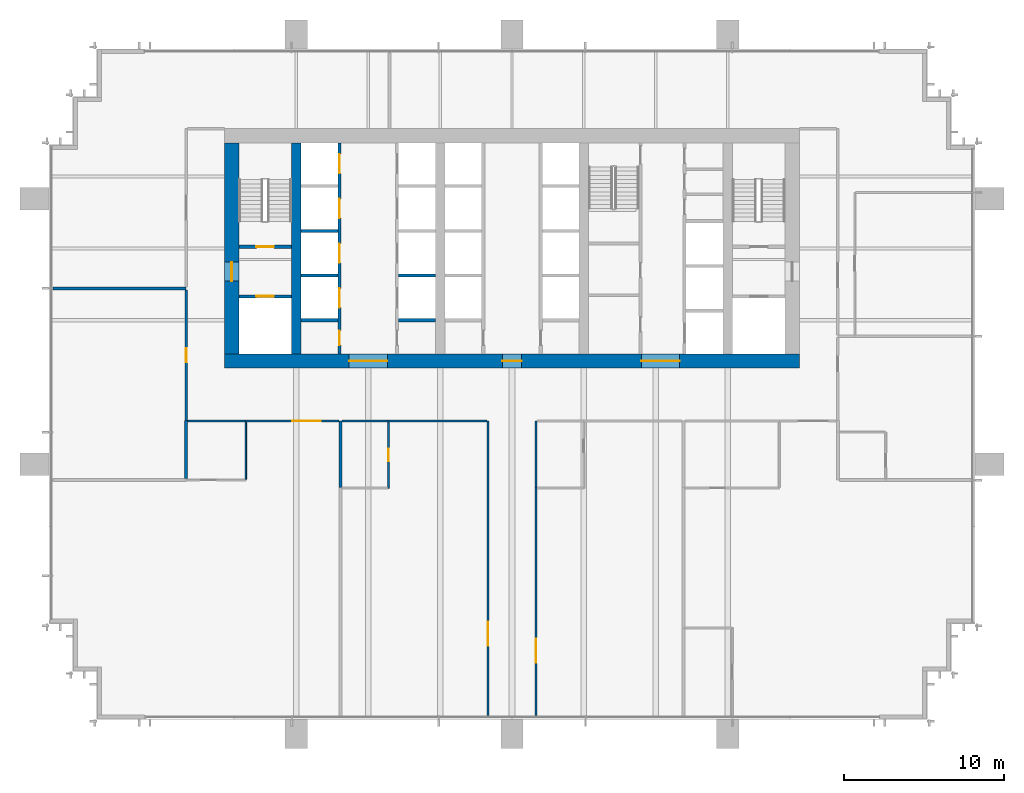
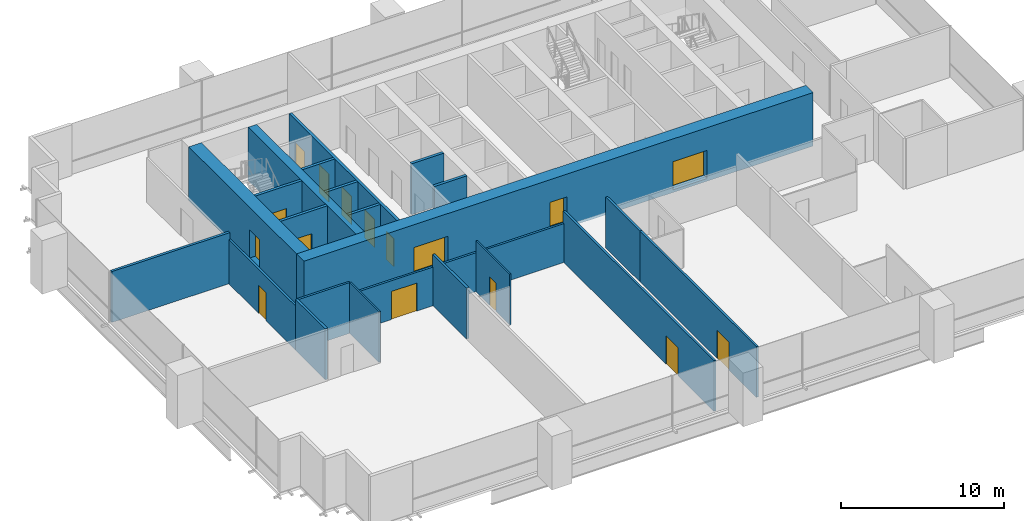
# One storey, part 10 of 14: 24 walls, 16 doors, 16 openings.
"""IFC4 building model written with IfcOpenShell, lengths in metres."""

from ifc_helpers import new_model, si_unit, direction, frame, frame_2d, origin, place, context, subcontext, project, spatial, rectangle, extrude, material, layer, layer_set, type_object, element, fill, save


model = new_model("IFC4")

# Units and contexts
model_context = context("Model", 3, precision=1e-05, world=origin(), true_north=direction((0.0, 1.0)))
body_context = subcontext(model_context, "Body", "Model", "MODEL_VIEW")
ifc_project = project(units=[si_unit("LENGTHUNIT", "METRE"), si_unit("AREAUNIT", "SQUARE_METRE"), si_unit("VOLUMEUNIT", "CUBIC_METRE"), si_unit("PLANEANGLEUNIT", "RADIAN"), si_unit("MASSUNIT", "GRAM", prefix="KILO")], contexts=[model_context])

# Site, building, storey
site_placement = place(None, origin())
site = spatial("IfcSite", under=ifc_project, at=site_placement, CompositionType="ELEMENT")
building_placement = place(site_placement, origin())
building = spatial("IfcBuilding", under=site, at=building_placement, Name="Rattan Terrace Tower", CompositionType="ELEMENT")
storey_placement = place(building_placement, frame((0.0, 0.0, 154.10009765625)))
storey = spatial("IfcBuildingStorey", under=building, at=storey_placement, Name="L35", CompositionType="ELEMENT", Elevation=154.10009765625)

# Wall, opening, door
ifc_material_1 = material(Name="Gypsum board partition")
ifc_layer_1 = layer(ifc_material_1, 0.199951171875)
ifc_layer_set_1 = layer_set([ifc_layer_1], Name="Core partition 200")
wall_type_1 = type_object("IfcWallType", Name="Core partition 200", PredefinedType="PARTITIONING", material=ifc_layer_set_1)
wall_1_placement = place(storey_placement, frame((-17.10009765625, -3.0, 0.0), z_axis=(0.0, 0.0, 1.0), x_axis=(1.0, 0.0, 0.0)))
wall_1 = element("IfcWall", 1, at=wall_1_placement, inside=storey, type_object=wall_type_1, Name="Fire-fighting lobby wall", PredefinedType="PARTITIONING", context=body_context, shape_type="SweptSolid", body=[
    extrude(rectangle(XDim=3.300048828125, YDim=0.199951171875, at=frame_2d((1.64990234375, 0.0))), origin(), (0.0, 0.0, 1.0), 3.7998046875),
])
opening_1_placement = place(wall_1_placement, frame((1.10009765625, 0.0, 0.0)))
opening_1 = element("IfcOpeningElement", 2, at=opening_1_placement, cuts=wall_1, Name="Opening L35-LD-FF1", PredefinedType="OPENING", context=body_context, shape_type="SweptSolid", body=[
    extrude(rectangle(XDim=1.10009765625, YDim=2.10009765625, at=frame_2d((0.550048828125, 1.050048828125))), frame((0.0, 0.110595703125, 0.0), z_axis=(0.0, -1.0, 0.0), x_axis=(1.0, 0.0, 0.0)), (0.0, 0.0, 1.0), 0.220947265625),
])
ifc_material_2 = material(Name="Brushed stainless landing door panel")
door_type_1 = type_object("IfcDoorType", Name="Core lift landing door 1100", OperationType="DOUBLE_DOOR_SLIDING", PredefinedType="DOOR", material=ifc_material_2)
door_1_placement = place(opening_1_placement, origin())
door_1 = element("IfcDoor", 3, at=door_1_placement, inside=storey, type_object=door_type_1, Name="Door L35-LD-FF1", OperationType="DOUBLE_DOOR_SLIDING", OverallHeight=2.10009765625, OverallWidth=1.10009765625, PredefinedType="DOOR", context=body_context, shape_type="SweptSolid", body=[
    extrude(rectangle(XDim=1.10009765625, YDim=2.10009765625, at=frame_2d((0.550048828125, 1.050048828125))), frame((0.0, 0.02490234375, 0.0), z_axis=(0.0, -1.0, 0.0), x_axis=(1.0, 0.0, 0.0)), (0.0, 0.0, 1.0), 0.050048828125),
])
fill(opening_1, door_1)

wall_2_placement = place(storey_placement, frame((-17.10009765625, 0.10009765625, 0.0), z_axis=(0.0, 0.0, 1.0), x_axis=(1.0, 0.0, 0.0)))
wall_2 = element("IfcWall", 4, at=wall_2_placement, inside=storey, type_object=wall_type_1, Name="Stair enclosure wall", PredefinedType="PARTITIONING", context=body_context, shape_type="SweptSolid", body=[
    extrude(rectangle(XDim=3.300048828125, YDim=0.199951171875, at=frame_2d((1.64990234375, 0.0))), origin(), (0.0, 0.0, 1.0), 3.7998046875),
])
opening_2_placement = place(wall_2_placement, frame((1.10009765625, 0.0, 0.0)))
opening_2 = element("IfcOpeningElement", 5, at=opening_2_placement, cuts=wall_2, Name="Opening L35-D002", PredefinedType="OPENING", context=body_context, shape_type="SweptSolid", body=[
    extrude(rectangle(XDim=1.10009765625, YDim=2.10009765625, at=frame_2d((0.550048828125, 1.050048828125))), frame((0.0, 0.110595703125, 0.0), z_axis=(0.0, -1.0, 0.0), x_axis=(1.0, 0.0, 0.0)), (0.0, 0.0, 1.0), 0.220947265625),
])
ifc_material_3 = material(Name="Hollow-metal fire door leaf")
door_type_2 = type_object("IfcDoorType", Name="Core stair door 1100", OperationType="NOTDEFINED", PredefinedType="DOOR", material=ifc_material_3)
door_2_placement = place(opening_2_placement, origin())
door_2 = element("IfcDoor", 6, at=door_2_placement, inside=storey, type_object=door_type_2, Name="Door L35-D002", OperationType="SINGLE_SWING_LEFT", OverallHeight=2.10009765625, OverallWidth=1.10009765625, PredefinedType="DOOR", context=body_context, shape_type="SweptSolid", body=[
    extrude(rectangle(XDim=1.10009765625, YDim=2.10009765625, at=frame_2d((0.550048828125, 1.050048828125))), frame((0.0, 0.02490234375, 0.0), z_axis=(0.0, -1.0, 0.0), x_axis=(1.0, 0.0, 0.0)), (0.0, 0.0, 1.0), 0.050048828125),
])
fill(opening_2, door_2)

# Wall, openings, doors
ifc_material_4 = material(Name="Concrete C60/75", Category="concrete")
ifc_layer_2 = layer(ifc_material_4, 0.89990234375)
ifc_layer_set_2 = layer_set([ifc_layer_2], Name="Core ring wall 900 C60/75")
wall_type_2 = type_object("IfcWallType", Name="Core ring wall 900 C60/75", PredefinedType="SHEAR", material=ifc_layer_set_2)
wall_3_placement = place(storey_placement, frame((-18.0, -7.050048828125, -0.2001953125), z_axis=(0.0, 0.0, 1.0), x_axis=(1.0, 0.0, 0.0)))
wall_3 = element("IfcWall", 7, at=wall_3_placement, inside=storey, type_object=wall_type_2, Name="Rear core wall south", PredefinedType="SHEAR", context=body_context, shape_type="SweptSolid", body=[
    extrude(rectangle(XDim=36.0, YDim=0.89990234375, at=frame_2d((18.0, 0.0))), origin(), (0.0, 0.0, 1.0), 4.0),
])
opening_3_placement = place(wall_3_placement, frame((7.800048828125, 0.0, 0.199951171875)))
opening_3 = element("IfcOpeningElement", 8, at=opening_3_placement, cuts=wall_3, Name="Opening L35-D007", PredefinedType="OPENING", context=body_context, shape_type="SweptSolid", body=[
    extrude(rectangle(XDim=2.39990234375, YDim=2.10009765625, at=frame_2d((1.199951171875, 1.050048828125))), frame((0.0, 0.46044921875, 0.0), z_axis=(0.0, -1.0, 0.0), x_axis=(1.0, 0.0, 0.0)), (0.0, 0.0, 1.0), 0.9208984375),
])
opening_4_placement = place(wall_3_placement, frame((17.39990234375, 0.0, 0.199951171875)))
opening_4 = element("IfcOpeningElement", 9, at=opening_4_placement, cuts=wall_3, Name="Opening L35-D010", PredefinedType="OPENING", context=body_context, shape_type="SweptSolid", body=[
    extrude(rectangle(XDim=1.199951171875, YDim=2.10009765625, at=frame_2d((0.60009765625, 1.050048828125))), frame((0.0, 0.46044921875, 0.0), z_axis=(0.0, -1.0, 0.0), x_axis=(1.0, 0.0, 0.0)), (0.0, 0.0, 1.0), 0.9208984375),
])
opening_5_placement = place(wall_3_placement, frame((26.10009765625, 0.0, 0.199951171875)))
opening_5 = element("IfcOpeningElement", 10, at=opening_5_placement, cuts=wall_3, Name="Opening L35-D014", PredefinedType="OPENING", context=body_context, shape_type="SweptSolid", body=[
    extrude(rectangle(XDim=2.39990234375, YDim=2.10009765625, at=frame_2d((1.199951171875, 1.050048828125))), frame((0.0, 0.46044921875, 0.0), z_axis=(0.0, -1.0, 0.0), x_axis=(1.0, 0.0, 0.0)), (0.0, 0.0, 1.0), 0.9208984375),
])
ifc_material_5 = material(Name="Hollow-metal fire door leaf")
door_type_3 = type_object("IfcDoorType", Name="Core lift lobby door 2400", OperationType="NOTDEFINED", PredefinedType="DOOR", material=ifc_material_5)
door_3_placement = place(opening_3_placement, origin())
door_3 = element("IfcDoor", 11, at=door_3_placement, inside=storey, type_object=door_type_3, Name="Door L35-D007", OperationType="DOUBLE_DOOR_DOUBLE_SWING", OverallHeight=2.10009765625, OverallWidth=2.39990234375, PredefinedType="DOOR", context=body_context, shape_type="SweptSolid", body=[
    extrude(rectangle(XDim=2.39990234375, YDim=2.10009765625, at=frame_2d((1.199951171875, 1.050048828125))), frame((0.0, 0.02490234375, 0.0), z_axis=(0.0, -1.0, 0.0), x_axis=(1.0, 0.0, 0.0)), (0.0, 0.0, 1.0), 0.050048828125),
])
fill(opening_3, door_3)
door_4_placement = place(opening_5_placement, origin())
door_4 = element("IfcDoor", 12, at=door_4_placement, inside=storey, type_object=door_type_3, Name="Door L35-D014", OperationType="DOUBLE_DOOR_DOUBLE_SWING", OverallHeight=2.10009765625, OverallWidth=2.39990234375, PredefinedType="DOOR", context=body_context, shape_type="SweptSolid", body=[
    extrude(rectangle(XDim=2.39990234375, YDim=2.10009765625, at=frame_2d((1.199951171875, 1.050048828125))), frame((0.0, 0.02490234375, 0.0), z_axis=(0.0, -1.0, 0.0), x_axis=(1.0, 0.0, 0.0)), (0.0, 0.0, 1.0), 0.050048828125),
])
fill(opening_5, door_4)
ifc_material_6 = material(Name="Hollow-metal fire door leaf")
door_type_4 = type_object("IfcDoorType", Name="Core riser door 1200", OperationType="NOTDEFINED", PredefinedType="DOOR", material=ifc_material_6)
door_5_placement = place(opening_4_placement, origin())
door_5 = element("IfcDoor", 13, at=door_5_placement, inside=storey, type_object=door_type_4, Name="Door L35-D010", OperationType="SINGLE_SWING_RIGHT", OverallHeight=2.10009765625, OverallWidth=1.199951171875, PredefinedType="DOOR", context=body_context, shape_type="SweptSolid", body=[
    extrude(rectangle(XDim=1.199951171875, YDim=2.10009765625, at=frame_2d((0.60009765625, 1.050048828125))), frame((0.0, 0.02490234375, 0.0), z_axis=(0.0, -1.0, 0.0), x_axis=(1.0, 0.0, 0.0)), (0.0, 0.0, 1.0), 0.050048828125),
])
fill(opening_4, door_5)

# Wall, opening, door
wall_4_placement = place(storey_placement, frame((-17.550048828125, -6.60009765625, -0.2001953125), z_axis=(0.0, 0.0, 1.0), x_axis=(0.0, 1.0, 0.0)))
wall_4 = element("IfcWall", 14, at=wall_4_placement, inside=storey, type_object=wall_type_2, Name="Rear core wall west", PredefinedType="SHEAR", context=body_context, shape_type="SweptSolid", body=[
    extrude(rectangle(XDim=13.2001953125, YDim=0.89990234375, at=frame_2d((6.60009765625, 0.0))), origin(), (0.0, 0.0, 1.0), 4.0),
])
opening_6_placement = place(wall_4_placement, frame((4.550048828125, 0.0, 0.199951171875)))
opening_6 = element("IfcOpeningElement", 15, at=opening_6_placement, cuts=wall_4, Name="Opening L35-D001", PredefinedType="OPENING", context=body_context, shape_type="SweptSolid", body=[
    extrude(rectangle(XDim=1.199951171875, YDim=2.10009765625, at=frame_2d((0.60009765625, 1.050048828125))), frame((0.0, 0.46044921875, 0.0), z_axis=(0.0, -1.0, 0.0), x_axis=(1.0, 0.0, 0.0)), (0.0, 0.0, 1.0), 0.9208984375),
])
ifc_material_7 = material(Name="Hollow-metal fire door leaf")
door_type_5 = type_object("IfcDoorType", Name="Core fire-fighting lobby door 1200", OperationType="NOTDEFINED", PredefinedType="DOOR", material=ifc_material_7)
door_6_placement = place(opening_6_placement, origin())
door_6 = element("IfcDoor", 16, at=door_6_placement, inside=storey, type_object=door_type_5, Name="Door L35-D001", OperationType="SINGLE_SWING_RIGHT", OverallHeight=2.10009765625, OverallWidth=1.199951171875, PredefinedType="DOOR", context=body_context, shape_type="SweptSolid", body=[
    extrude(rectangle(XDim=1.199951171875, YDim=2.10009765625, at=frame_2d((0.60009765625, 1.050048828125))), frame((0.0, 0.02490234375, 0.0), z_axis=(0.0, -1.0, 0.0), x_axis=(1.0, 0.0, 0.0)), (0.0, 0.0, 1.0), 0.050048828125),
])
fill(opening_6, door_6)

# Walls
ifc_material_8 = material(Name="Concrete C60/75", Category="concrete")
ifc_layer_3 = layer(ifc_material_8, 0.60009765625)
ifc_layer_set_3 = layer_set([ifc_layer_3], Name="Core spine wall 600 C60/75")
wall_type_3 = type_object("IfcWallType", Name="Core spine wall 600 C60/75", PredefinedType="SHEAR", material=ifc_layer_set_3)
wall_5_placement = place(storey_placement, frame((-13.5, -6.60009765625, -0.2001953125), z_axis=(0.0, 0.0, 1.0), x_axis=(0.0, 1.0, 0.0)))
element("IfcWall", 17, at=wall_5_placement, inside=storey, type_object=wall_type_3, Name="Core spine wall 1", PredefinedType="SHEAR", context=body_context, shape_type="SweptSolid", body=[
    extrude(rectangle(XDim=13.2001953125, YDim=0.60009765625, at=frame_2d((6.60009765625, 0.0))), origin(), (0.0, 0.0, 1.0), 4.0),
])
ifc_material_9 = material(Name="Double steel stud acoustic partition, gypsum board, mineral wool, fire rated", Category="steel")
ifc_layer_4 = layer(ifc_material_9, 0.179931640625)
ifc_layer_set_4 = layer_set([ifc_layer_4], Name="Floors Acoustic Party Wall 180")
wall_type_4 = type_object("IfcWallType", Name="Floors Acoustic Party Wall 180", PredefinedType="PARTITIONING", material=ifc_layer_set_4)
wall_6_placement = place(storey_placement, frame((-28.739990234375, -2.5, 0.0), z_axis=(0.0, 0.0, 1.0), x_axis=(1.0, 0.0, 0.0)))
element("IfcWall", 18, at=wall_6_placement, inside=storey, type_object=wall_type_4, Name="pt-L35-018", PredefinedType="PARTITIONING", context=body_context, shape_type="SweptSolid", body=[
    extrude(rectangle(XDim=8.340087890625, YDim=0.179931640625, at=frame_2d((4.169921875, 0.0))), origin(), (0.0, 0.0, 1.0), 3.7998046875),
])
wall_7_placement = place(storey_placement, frame((-20.39892578125, -10.780029296875, 0.0), z_axis=(0.0, 0.0, 1.0), x_axis=(0.0, -1.0, 0.0)))
element("IfcWall", 19, at=wall_7_placement, inside=storey, type_object=wall_type_4, Name="pt-L35-020", PredefinedType="PARTITIONING", context=body_context, shape_type="SweptSolid", body=[
    extrude(rectangle(XDim=3.6298828125, YDim=0.179931640625, at=frame_2d((1.81494140625, 0.0))), origin(), (0.0, 0.0, 1.0), 3.7998046875),
])
wall_8_placement = place(storey_placement, frame((-10.73291015625, -10.800048828125, 0.0), z_axis=(0.0, 0.0, 1.0), x_axis=(0.0, -1.0, 0.0)))
element("IfcWall", 20, at=wall_8_placement, inside=storey, type_object=wall_type_4, Name="pt-L35-044", PredefinedType="PARTITIONING", context=body_context, shape_type="SweptSolid", body=[
    extrude(rectangle(XDim=4.179931640625, YDim=0.179931640625, at=frame_2d((2.08984375, 0.0))), origin(), (0.0, 0.0, 1.0), 3.7998046875),
])
ifc_material_10 = material(Name="Gypsum board partition on steel studs", Category="steel")
ifc_layer_5 = layer(ifc_material_10, 0.10009765625)
ifc_layer_set_5 = layer_set([ifc_layer_5], Name="Floors Partition 100")
wall_type_5 = type_object("IfcWallType", Name="Floors Partition 100", PredefinedType="PARTITIONING", material=ifc_layer_set_5)
wall_9_placement = place(storey_placement, frame((-16.659912109375, -14.449951171875, 0.0), z_axis=(0.0, 0.0, 1.0), x_axis=(0.0, 1.0, 0.0)))
element("IfcWall", 21, at=wall_9_placement, inside=storey, type_object=wall_type_5, Name="pt-L35-042", PredefinedType="PARTITIONING", context=body_context, shape_type="SweptSolid", body=[
    extrude(rectangle(XDim=3.574951171875, YDim=0.10009765625, at=frame_2d((1.78759765625, 0.0))), origin(), (0.0, 0.0, 1.0), 3.7998046875),
])

# Wall, opening, door
wall_10_placement = place(storey_placement, frame((-7.73291015625, -15.0, 0.0), z_axis=(0.0, 0.0, 1.0), x_axis=(0.0, 1.0, 0.0)))
wall_10 = element("IfcWall", 22, at=wall_10_placement, inside=storey, type_object=wall_type_5, Name="pt-L35-046", PredefinedType="PARTITIONING", context=body_context, shape_type="SweptSolid", body=[
    extrude(rectangle(XDim=4.125, YDim=0.10009765625, at=frame_2d((2.0625, 0.0))), origin(), (0.0, 0.0, 1.0), 3.7998046875),
])
opening_7_placement = place(wall_10_placement, frame((1.6630859375, 0.0, 0.0)))
opening_7 = element("IfcOpeningElement", 23, at=opening_7_placement, cuts=wall_10, Name="Opening L35-D114", PredefinedType="OPENING", context=body_context, shape_type="SweptSolid", body=[
    extrude(rectangle(XDim=0.800048828125, YDim=2.10009765625, at=frame_2d((0.39990234375, 1.050048828125))), frame((0.0, 0.060546875, 0.0), z_axis=(0.0, -1.0, 0.0), x_axis=(1.0, 0.0, 0.0)), (0.0, 0.0, 1.0), 0.12109375),
])
ifc_material_11 = material(Name="Solid core timber door, painted", Category="wood")
door_type_6 = type_object("IfcDoorType", Name="Floors Store Door 800x2100", OperationType="NOTDEFINED", PredefinedType="DOOR", material=ifc_material_11)
door_7_placement = place(opening_7_placement, origin())
door_7 = element("IfcDoor", 24, at=door_7_placement, inside=storey, type_object=door_type_6, Name="d-L35-114", OperationType="SINGLE_SWING_LEFT", OverallHeight=2.10009765625, OverallWidth=0.800048828125, PredefinedType="DOOR", context=body_context, shape_type="SweptSolid", body=[
    extrude(rectangle(XDim=0.800048828125, YDim=2.10009765625, at=frame_2d((0.39990234375, 1.050048828125))), frame((0.0, 0.02490234375, 0.0), z_axis=(0.0, -1.0, 0.0), x_axis=(1.0, 0.0, 0.0)), (0.0, 0.0, 1.0), 0.050048828125),
])
fill(opening_7, door_7)

ifc_material_12 = material(Name="Gypsum board partition on steel studs, fire rated", Category="steel")
ifc_layer_6 = layer(ifc_material_12, 0.14990234375)
ifc_layer_set_6 = layer_set([ifc_layer_6], Name="Floors Tenancy Wall 150")
wall_type_6 = type_object("IfcWallType", Name="Floors Tenancy Wall 150", PredefinedType="PARTITIONING", material=ifc_layer_set_6)
wall_11_placement = place(storey_placement, frame((-20.39990234375, -10.780029296875, 0.0), z_axis=(0.0, 0.0, 1.0), x_axis=(0.0, 1.0, 0.0)))
wall_11 = element("IfcWall", 25, at=wall_11_placement, inside=storey, type_object=wall_type_6, Name="pt-L35-001", PredefinedType="PARTITIONING", context=body_context, shape_type="SweptSolid", body=[
    extrude(rectangle(XDim=8.18994140625, YDim=0.14990234375, at=frame_2d((4.094970703125, 0.0))), origin(), (0.0, 0.0, 1.0), 3.2998046875),
])
opening_8_placement = place(wall_11_placement, frame((3.64501953125, 0.0, 0.0)))
opening_8 = element("IfcOpeningElement", 26, at=opening_8_placement, cuts=wall_11, Name="Opening L35-D100", PredefinedType="OPENING", context=body_context, shape_type="SweptSolid", body=[
    extrude(rectangle(XDim=0.89990234375, YDim=2.10009765625, at=frame_2d((0.449951171875, 1.050048828125))), frame((0.0, 0.08544921875, 0.0), z_axis=(0.0, -1.0, 0.0), x_axis=(1.0, 0.0, 0.0)), (0.0, 0.0, 1.0), 0.1708984375),
])
ifc_material_13 = material(Name="Steel fire door set", Category="steel")
door_type_7 = type_object("IfcDoorType", Name="Floors Fire Door FD30S 900x2100", OperationType="NOTDEFINED", PredefinedType="DOOR", material=ifc_material_13)
door_8_placement = place(opening_8_placement, origin())
door_8 = element("IfcDoor", 27, at=door_8_placement, inside=storey, type_object=door_type_7, Name="d-L35-100", OperationType="SINGLE_SWING_LEFT", OverallHeight=2.10009765625, OverallWidth=0.89990234375, PredefinedType="DOOR", context=body_context, shape_type="SweptSolid", body=[
    extrude(rectangle(XDim=0.89990234375, YDim=2.10009765625, at=frame_2d((0.449951171875, 1.050048828125))), frame((0.0, 0.02490234375, 0.0), z_axis=(0.0, -1.0, 0.0), x_axis=(1.0, 0.0, 0.0)), (0.0, 0.0, 1.0), 0.050048828125),
])
fill(opening_8, door_8)

wall_12_placement = place(storey_placement, frame((1.5, -14.97998046875, 0.0), z_axis=(0.0, 0.0, 1.0), x_axis=(0.0, -1.0, 0.0)))
wall_12 = element("IfcWall", 28, at=wall_12_placement, inside=storey, type_object=wall_type_6, Name="pt-L35-007", PredefinedType="PARTITIONING", context=body_context, shape_type="SweptSolid", body=[
    extrude(rectangle(XDim=14.260009765625, YDim=0.14990234375, at=frame_2d((7.1298828125, 0.0))), origin(), (0.0, 0.0, 1.0), 3.7998046875),
])
opening_9_placement = place(wall_12_placement, frame((9.445068359375, 0.0, 0.0)))
opening_9 = element("IfcOpeningElement", 29, at=opening_9_placement, cuts=wall_12, Name="Opening L35-D106", PredefinedType="OPENING", context=body_context, shape_type="SweptSolid", body=[
    extrude(rectangle(XDim=1.5, YDim=2.10009765625, at=frame_2d((0.75, 1.050048828125))), frame((0.0, 0.08544921875, 0.0), z_axis=(0.0, -1.0, 0.0), x_axis=(1.0, 0.0, 0.0)), (0.0, 0.0, 1.0), 0.1708984375),
])
ifc_material_14 = material(Name="Steel fire door set", Category="steel")
door_type_8 = type_object("IfcDoorType", Name="Floors Unit Door Pair FD30S 1500x2100", OperationType="NOTDEFINED", PredefinedType="DOOR", material=ifc_material_14)
door_9_placement = place(opening_9_placement, origin())
door_9 = element("IfcDoor", 30, at=door_9_placement, inside=storey, type_object=door_type_8, Name="d-L35-106", OperationType="DOUBLE_DOOR_SINGLE_SWING", OverallHeight=2.10009765625, OverallWidth=1.5, PredefinedType="DOOR", context=body_context, shape_type="SweptSolid", body=[
    extrude(rectangle(XDim=1.5, YDim=2.10009765625, at=frame_2d((0.75, 1.050048828125))), frame((0.0, 0.02490234375, 0.0), z_axis=(0.0, -1.0, 0.0), x_axis=(1.0, 0.0, 0.0)), (0.0, 0.0, 1.0), 0.050048828125),
])
fill(opening_9, door_9)

# Wall
wall_13_placement = place(storey_placement, frame((1.5, -10.800048828125, 0.0), z_axis=(0.0, 0.0, 1.0), x_axis=(0.0, -1.0, 0.0)))
element("IfcWall", 31, at=wall_13_placement, inside=storey, type_object=wall_type_6, Name="pt-L35-009", PredefinedType="PARTITIONING", context=body_context, shape_type="SweptSolid", body=[
    extrude(rectangle(XDim=4.179931640625, YDim=0.14990234375, at=frame_2d((2.08984375, 0.0))), origin(), (0.0, 0.0, 1.0), 3.7998046875),
])

# Wall, opening, door
wall_14_placement = place(storey_placement, frame((-10.822998046875, -10.800048828125, 0.0), z_axis=(0.0, 0.0, 1.0), x_axis=(-1.0, 0.0, 0.0)))
wall_14 = element("IfcWall", 32, at=wall_14_placement, inside=storey, type_object=wall_type_6, Name="pt-L35-013", PredefinedType="PARTITIONING", context=body_context, shape_type="SweptSolid", body=[
    extrude(rectangle(XDim=5.85693359375, YDim=0.14990234375, at=frame_2d((2.928466796875, 0.0))), origin(), (0.0, 0.0, 1.0), 2.89990234375),
])
opening_10_placement = place(wall_14_placement, frame((1.138916015625, 0.0, 0.0)))
opening_10 = element("IfcOpeningElement", 33, at=opening_10_placement, cuts=wall_14, Name="Opening L35-D111", PredefinedType="OPENING", context=body_context, shape_type="SweptSolid", body=[
    extrude(rectangle(XDim=1.800048828125, YDim=2.10009765625, at=frame_2d((0.89990234375, 1.050048828125))), frame((0.0, 0.08544921875, 0.0), z_axis=(0.0, -1.0, 0.0), x_axis=(1.0, 0.0, 0.0)), (0.0, 0.0, 1.0), 0.1708984375),
])
ifc_material_15 = material(Name="Steel fire door set", Category="steel")
door_type_9 = type_object("IfcDoorType", Name="Floors Fire Door Pair FD30S 1800x2100", OperationType="NOTDEFINED", PredefinedType="DOOR", material=ifc_material_15)
door_10_placement = place(opening_10_placement, origin())
door_10 = element("IfcDoor", 34, at=door_10_placement, inside=storey, type_object=door_type_9, Name="d-L35-111", OperationType="DOUBLE_DOOR_SINGLE_SWING", OverallHeight=2.10009765625, OverallWidth=1.800048828125, PredefinedType="DOOR", context=body_context, shape_type="SweptSolid", body=[
    extrude(rectangle(XDim=1.800048828125, YDim=2.10009765625, at=frame_2d((0.89990234375, 1.050048828125))), frame((0.0, 0.02490234375, 0.0), z_axis=(0.0, -1.0, 0.0), x_axis=(1.0, 0.0, 0.0)), (0.0, 0.0, 1.0), 0.050048828125),
])
fill(opening_10, door_10)

# Walls
wall_15_placement = place(storey_placement, frame((-16.679931640625, -10.800048828125, 0.0), z_axis=(0.0, 0.0, 1.0), x_axis=(-1.0, 0.0, 0.0)))
element("IfcWall", 35, at=wall_15_placement, inside=storey, type_object=wall_type_6, Name="pt-L35-014", PredefinedType="PARTITIONING", context=body_context, shape_type="SweptSolid", body=[
    extrude(rectangle(XDim=3.64501953125, YDim=0.14990234375, at=frame_2d((1.822509765625, 0.0))), origin(), (0.0, 0.0, 1.0), 3.7998046875),
])
wall_16_placement = place(storey_placement, frame((-1.574951171875, -10.800048828125, 0.0), z_axis=(0.0, 0.0, 1.0), x_axis=(-1.0, 0.0, 0.0)))
element("IfcWall", 36, at=wall_16_placement, inside=storey, type_object=wall_type_6, Name="pt-L35-015", PredefinedType="PARTITIONING", context=body_context, shape_type="SweptSolid", body=[
    extrude(rectangle(XDim=6.177978515625, YDim=0.14990234375, at=frame_2d((3.0888671875, 0.0))), origin(), (0.0, 0.0, 1.0), 2.89990234375),
])

# Wall, opening, door
wall_17_placement = place(storey_placement, frame((-1.5, -29.239990234375, 0.0), z_axis=(0.0, 0.0, 1.0), x_axis=(0.0, 1.0, 0.0)))
wall_17 = element("IfcWall", 37, at=wall_17_placement, inside=storey, type_object=wall_type_6, Name="pt-L35-016", PredefinedType="PARTITIONING", context=body_context, shape_type="SweptSolid", body=[
    extrude(rectangle(XDim=18.43994140625, YDim=0.14990234375, at=frame_2d((9.219970703125, 0.0))), origin(), (0.0, 0.0, 1.0), 3.7998046875),
])
opening_11_placement = place(wall_17_placement, frame((4.360107421875, 0.0, 0.0)))
opening_11 = element("IfcOpeningElement", 38, at=opening_11_placement, cuts=wall_17, Name="Opening L35-D113", PredefinedType="OPENING", context=body_context, shape_type="SweptSolid", body=[
    extrude(rectangle(XDim=1.5, YDim=2.10009765625, at=frame_2d((0.75, 1.050048828125))), frame((0.0, 0.08544921875, 0.0), z_axis=(0.0, -1.0, 0.0), x_axis=(1.0, 0.0, 0.0)), (0.0, 0.0, 1.0), 0.1708984375),
])
door_11_placement = place(opening_11_placement, origin())
door_11 = element("IfcDoor", 39, at=door_11_placement, inside=storey, type_object=door_type_8, Name="d-L35-113", OperationType="DOUBLE_DOOR_SINGLE_SWING", OverallHeight=2.10009765625, OverallWidth=1.5, PredefinedType="DOOR", context=body_context, shape_type="SweptSolid", body=[
    extrude(rectangle(XDim=1.5, YDim=2.10009765625, at=frame_2d((0.75, 1.050048828125))), frame((0.0, 0.02490234375, 0.0), z_axis=(0.0, -1.0, 0.0), x_axis=(1.0, 0.0, 0.0)), (0.0, 0.0, 1.0), 0.050048828125),
])
fill(opening_11, door_11)

# Wall
wall_18_placement = place(storey_placement, frame((-7.7529296875, -10.800048828125, 0.0), z_axis=(0.0, 0.0, 1.0), x_axis=(-1.0, 0.0, 0.0)))
element("IfcWall", 40, at=wall_18_placement, inside=storey, type_object=wall_type_6, Name="pt-L35-017", PredefinedType="PARTITIONING", context=body_context, shape_type="SweptSolid", body=[
    extrude(rectangle(XDim=2.89013671875, YDim=0.14990234375, at=frame_2d((1.445068359375, 0.0))), origin(), (0.0, 0.0, 1.0), 2.89990234375),
])

# Wall, openings, doors
ifc_material_16 = material(Name="Gypsum shaft wall system")
ifc_layer_7 = layer(ifc_material_16, 0.199951171875)
ifc_layer_set_7 = layer_set([ifc_layer_7], Name="Lift shaft wall 200")
wall_type_7 = type_object("IfcWallType", Name="Lift shaft wall 200", PredefinedType="PARTITIONING", material=ifc_layer_set_7)
wall_19_placement = place(storey_placement, frame((-10.800048828125, -6.60009765625, 0.0), z_axis=(0.0, 0.0, 1.0), x_axis=(0.0, 1.0, 0.0)))
wall_19 = element("IfcWall", 41, at=wall_19_placement, inside=storey, type_object=wall_type_7, Name="Lift shaft front wall", PredefinedType="PARTITIONING", context=body_context, shape_type="SweptSolid", body=[
    extrude(rectangle(XDim=13.2001953125, YDim=0.199951171875, at=frame_2d((6.60009765625, 0.0))), origin(), (0.0, 0.0, 1.0), 3.7998046875),
])
opening_12_placement = place(wall_19_placement, frame((0.550048828125, 0.0, 0.0)))
opening_12 = element("IfcOpeningElement", 42, at=opening_12_placement, cuts=wall_19, Name="Opening L35-D005", PredefinedType="OPENING", context=body_context, shape_type="SweptSolid", body=[
    extrude(rectangle(XDim=0.89990234375, YDim=2.10009765625, at=frame_2d((0.449951171875, 1.050048828125))), frame((0.0, 0.110595703125, 0.0), z_axis=(0.0, -1.0, 0.0), x_axis=(1.0, 0.0, 0.0)), (0.0, 0.0, 1.0), 0.220947265625),
])
opening_13_placement = place(wall_19_placement, frame((2.89990234375, 0.0, 0.0)))
opening_13 = element("IfcOpeningElement", 43, at=opening_13_placement, cuts=wall_19, Name="Opening L35-LD-LR1", PredefinedType="OPENING", context=body_context, shape_type="SweptSolid", body=[
    extrude(rectangle(XDim=1.199951171875, YDim=2.10009765625, at=frame_2d((0.60009765625, 1.050048828125))), frame((0.0, 0.110595703125, 0.0), z_axis=(0.0, -1.0, 0.0), x_axis=(1.0, 0.0, 0.0)), (0.0, 0.0, 1.0), 0.220947265625),
])
opening_14_placement = place(wall_19_placement, frame((5.699951171875, 0.0, 0.0)))
opening_14 = element("IfcOpeningElement", 44, at=opening_14_placement, cuts=wall_19, Name="Opening L35-LD-LR2", PredefinedType="OPENING", context=body_context, shape_type="SweptSolid", body=[
    extrude(rectangle(XDim=1.199951171875, YDim=2.10009765625, at=frame_2d((0.60009765625, 1.050048828125))), frame((0.0, 0.110595703125, 0.0), z_axis=(0.0, -1.0, 0.0), x_axis=(1.0, 0.0, 0.0)), (0.0, 0.0, 1.0), 0.220947265625),
])
opening_15_placement = place(wall_19_placement, frame((8.5, 0.0, 0.0)))
opening_15 = element("IfcOpeningElement", 45, at=opening_15_placement, cuts=wall_19, Name="Opening L35-LD-LR3", PredefinedType="OPENING", context=body_context, shape_type="SweptSolid", body=[
    extrude(rectangle(XDim=1.199951171875, YDim=2.10009765625, at=frame_2d((0.60009765625, 1.050048828125))), frame((0.0, 0.110595703125, 0.0), z_axis=(0.0, -1.0, 0.0), x_axis=(1.0, 0.0, 0.0)), (0.0, 0.0, 1.0), 0.220947265625),
])
opening_16_placement = place(wall_19_placement, frame((11.300048828125, 0.0, 0.0)))
opening_16 = element("IfcOpeningElement", 46, at=opening_16_placement, cuts=wall_19, Name="Opening L35-LD-LR4", PredefinedType="OPENING", context=body_context, shape_type="SweptSolid", body=[
    extrude(rectangle(XDim=1.199951171875, YDim=2.10009765625, at=frame_2d((0.60009765625, 1.050048828125))), frame((0.0, 0.110595703125, 0.0), z_axis=(0.0, -1.0, 0.0), x_axis=(1.0, 0.0, 0.0)), (0.0, 0.0, 1.0), 0.220947265625),
])
ifc_material_17 = material(Name="Brushed stainless landing door panel")
door_type_10 = type_object("IfcDoorType", Name="Core lift landing door 1200", OperationType="DOUBLE_DOOR_SLIDING", PredefinedType="DOOR", material=ifc_material_17)
door_12_placement = place(opening_13_placement, origin())
door_12 = element("IfcDoor", 47, at=door_12_placement, inside=storey, type_object=door_type_10, Name="Door L35-LD-LR1", OperationType="DOUBLE_DOOR_SLIDING", OverallHeight=2.10009765625, OverallWidth=1.199951171875, PredefinedType="DOOR", context=body_context, shape_type="SweptSolid", body=[
    extrude(rectangle(XDim=1.199951171875, YDim=2.10009765625, at=frame_2d((0.60009765625, 1.050048828125))), frame((0.0, 0.02490234375, 0.0), z_axis=(0.0, -1.0, 0.0), x_axis=(1.0, 0.0, 0.0)), (0.0, 0.0, 1.0), 0.050048828125),
])
fill(opening_13, door_12)
door_13_placement = place(opening_14_placement, origin())
door_13 = element("IfcDoor", 48, at=door_13_placement, inside=storey, type_object=door_type_10, Name="Door L35-LD-LR2", OperationType="DOUBLE_DOOR_SLIDING", OverallHeight=2.10009765625, OverallWidth=1.199951171875, PredefinedType="DOOR", context=body_context, shape_type="SweptSolid", body=[
    extrude(rectangle(XDim=1.199951171875, YDim=2.10009765625, at=frame_2d((0.60009765625, 1.050048828125))), frame((0.0, 0.02490234375, 0.0), z_axis=(0.0, -1.0, 0.0), x_axis=(1.0, 0.0, 0.0)), (0.0, 0.0, 1.0), 0.050048828125),
])
fill(opening_14, door_13)
door_14_placement = place(opening_15_placement, origin())
door_14 = element("IfcDoor", 49, at=door_14_placement, inside=storey, type_object=door_type_10, Name="Door L35-LD-LR3", OperationType="DOUBLE_DOOR_SLIDING", OverallHeight=2.10009765625, OverallWidth=1.199951171875, PredefinedType="DOOR", context=body_context, shape_type="SweptSolid", body=[
    extrude(rectangle(XDim=1.199951171875, YDim=2.10009765625, at=frame_2d((0.60009765625, 1.050048828125))), frame((0.0, 0.02490234375, 0.0), z_axis=(0.0, -1.0, 0.0), x_axis=(1.0, 0.0, 0.0)), (0.0, 0.0, 1.0), 0.050048828125),
])
fill(opening_15, door_14)
door_15_placement = place(opening_16_placement, origin())
door_15 = element("IfcDoor", 50, at=door_15_placement, inside=storey, type_object=door_type_10, Name="Door L35-LD-LR4", OperationType="DOUBLE_DOOR_SLIDING", OverallHeight=2.10009765625, OverallWidth=1.199951171875, PredefinedType="DOOR", context=body_context, shape_type="SweptSolid", body=[
    extrude(rectangle(XDim=1.199951171875, YDim=2.10009765625, at=frame_2d((0.60009765625, 1.050048828125))), frame((0.0, 0.02490234375, 0.0), z_axis=(0.0, -1.0, 0.0), x_axis=(1.0, 0.0, 0.0)), (0.0, 0.0, 1.0), 0.050048828125),
])
fill(opening_16, door_15)
ifc_material_18 = material(Name="Hollow-metal fire door leaf")
door_type_11 = type_object("IfcDoorType", Name="Core riser door 900", OperationType="NOTDEFINED", PredefinedType="DOOR", material=ifc_material_18)
door_16_placement = place(opening_12_placement, origin())
door_16 = element("IfcDoor", 51, at=door_16_placement, inside=storey, type_object=door_type_11, Name="Door L35-D005", OperationType="SINGLE_SWING_RIGHT", OverallHeight=2.10009765625, OverallWidth=0.89990234375, PredefinedType="DOOR", context=body_context, shape_type="SweptSolid", body=[
    extrude(rectangle(XDim=0.89990234375, YDim=2.10009765625, at=frame_2d((0.449951171875, 1.050048828125))), frame((0.0, 0.02490234375, 0.0), z_axis=(0.0, -1.0, 0.0), x_axis=(1.0, 0.0, 0.0)), (0.0, 0.0, 1.0), 0.050048828125),
])
fill(opening_12, door_16)

# Walls
for number, where, z_axis, x_axis, name in (
    (52, (-13.199951171875, -1.699951171875, 0.0), (0.0, 0.0, 1.0), (1.0, 0.0, 0.0), "Lift shaft wall"),
    (53, (-13.199951171875, 1.10009765625, 0.0), (0.0, 0.0, 1.0), (1.0, 0.0, 0.0), "Lift shaft wall"),
    (54, (-13.199951171875, -4.5, 0.0), (0.0, 0.0, 1.0), (1.0, 0.0, 0.0), "Lift shaft wall"),
    (55, (-7.10009765625, -1.699951171875, 0.0), (0.0, 0.0, 1.0), (1.0, 0.0, 0.0), "Lift shaft wall"),
    (56, (-7.10009765625, -4.5, 0.0), (0.0, 0.0, 1.0), (1.0, 0.0, 0.0), "Lift shaft wall"),
):
    element("IfcWall", number, at=place(storey_placement, frame(where, z_axis=z_axis, x_axis=x_axis)), inside=storey, type_object=wall_type_7, Name=name, PredefinedType="PARTITIONING", context=body_context, shape_type="SweptSolid", body=[
        extrude(rectangle(XDim=2.300048828125, YDim=0.199951171875, at=frame_2d((1.14990234375, 0.0))), origin(), (0.0, 0.0, 1.0), 3.7998046875),
    ])

save(model, "model.ifc")
